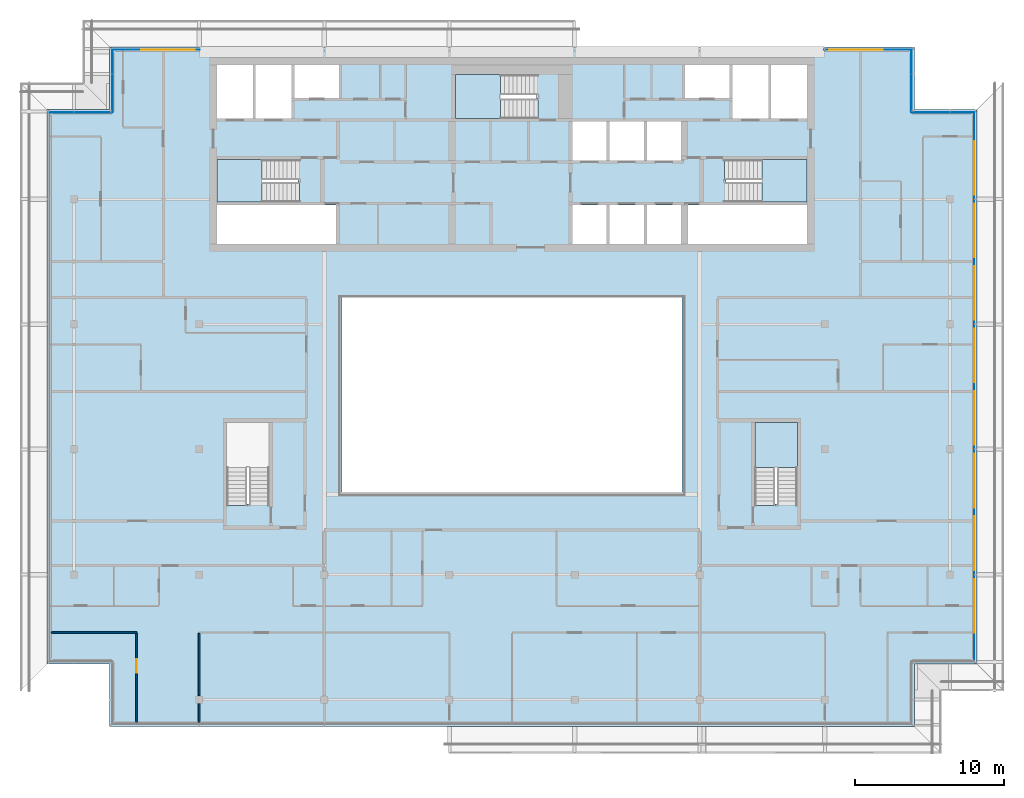
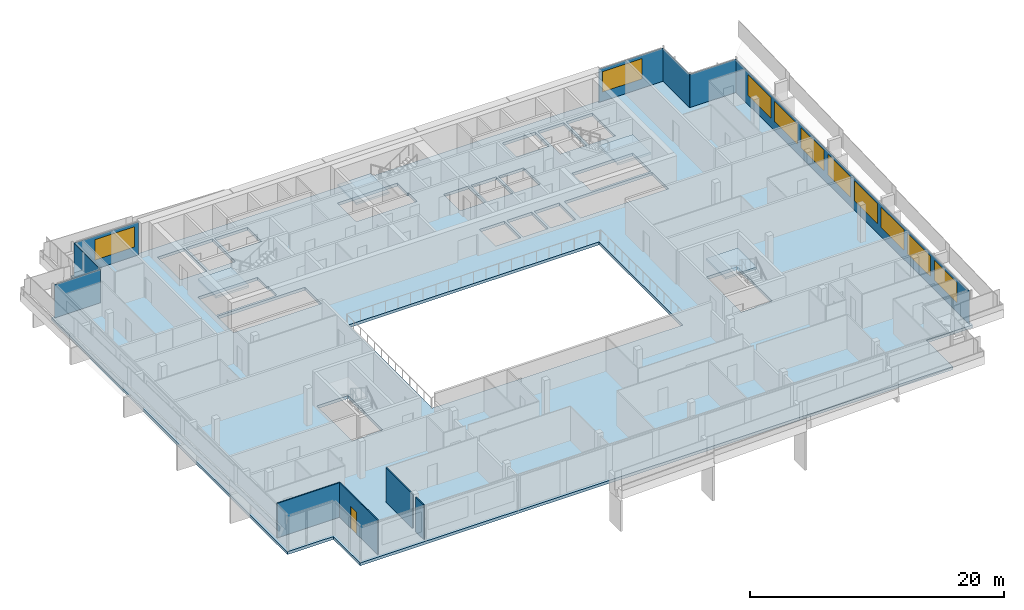
# One storey, part 14 of 26: 10 windows, 7 plates, 5 slabs, 4 walls, 1 door, 11 openings, 10 elements without a shape of their own.
"""IFC4 building model written with IfcOpenShell, lengths in metres."""

from ifc_helpers import new_model, si_unit, direction, frame, frame_2d, origin, place, context, subcontext, project, spatial, polyline, rectangle, outline, extrude, material, layer, layer_set, type_object, element, fill, aggregate, save


model = new_model("IFC4")

# Units and contexts
model_context = context("Model", 3, precision=1e-05, world=origin(), true_north=direction((0.0, 1.0)))
body_context = subcontext(model_context, "Body", "Model", "MODEL_VIEW")
ifc_project = project(units=[si_unit("LENGTHUNIT", "METRE"), si_unit("AREAUNIT", "SQUARE_METRE"), si_unit("VOLUMEUNIT", "CUBIC_METRE"), si_unit("PLANEANGLEUNIT", "RADIAN"), si_unit("MASSUNIT", "GRAM", prefix="KILO")], contexts=[model_context])

# Site, building, storey
site_placement = place(None, origin())
site = spatial("IfcSite", under=ifc_project, at=site_placement, CompositionType="ELEMENT")
building_placement = place(site_placement, origin())
building = spatial("IfcBuilding", under=site, at=building_placement, Name="Saffron Gate Tower", CompositionType="ELEMENT")
storey_placement = place(building_placement, frame((0.0, 0.0, 277.949951171875)))
storey = spatial("IfcBuildingStorey", under=building, at=storey_placement, Name="L67", CompositionType="ELEMENT", Elevation=277.949951171875)

# Curtain wall, plate, openings, windows
ifc_material_1 = material(Name="Aluminium, bronze anodised", Category="aluminium")
curtain_wall_type_1 = type_object("IfcCurtainWallType", Name="CWS2 curtain wall side facades", PredefinedType="NOTDEFINED", material=ifc_material_1)
curtain_wall_1_placement = place(storey_placement, origin())
curtain_wall_1 = element("IfcCurtainWall", 1, at=curtain_wall_1_placement, inside=storey, type_object=curtain_wall_type_1, Name="CWS2 run 4", PredefinedType="NOTDEFINED")
ifc_material_2 = material(Name="Fritted bronze-tinted laminated glass", Category="glass")
ifc_layer_1 = layer(ifc_material_2, 0.028076171875)
ifc_layer_set_1 = layer_set([ifc_layer_1], Name="CWS2 fixed glass")
plate_type_1 = type_object("IfcPlateType", Name="CWS2 fixed glass", PredefinedType="CURTAIN_PANEL", material=ifc_layer_set_1)
plate_1_placement = place(storey_placement, frame((118.6259765625, 34.387939453125, 0.0), z_axis=(0.0, 0.0, 1.0), x_axis=(0.0, 1.0, 0.0)))
plate_1 = element("IfcPlate", 2, at=plate_1_placement, type_object=plate_type_1, Name="CWS2 glass panel", PredefinedType="CURTAIN_PANEL", context=body_context, shape_type="SweptSolid", body=[
    extrude(rectangle(XDim=36.823974609375, YDim=0.028076171875, at=frame_2d((18.412109375, 0.0))), origin(), (0.0, 0.0, 1.0), 3.199951171875),
])
opening_1_placement = place(plate_1_placement, frame((1.912109375, 0.0, 0.89990234375)))
opening_1 = element("IfcOpeningElement", 3, at=opening_1_placement, cuts=plate_1, Name="Opening W1", PredefinedType="OPENING", context=body_context, shape_type="SweptSolid", body=[
    extrude(rectangle(XDim=3.60009765625, YDim=1.949951171875, at=frame_2d((1.800048828125, 0.97509765625))), frame((0.0, 0.02392578125, 0.0), z_axis=(0.0, -1.0, 0.0), x_axis=(1.0, 0.0, 0.0)), (0.0, 0.0, 1.0), 0.048095703125),
])
opening_2_placement = place(plate_1_placement, frame((6.112060546875, 0.0, 0.89990234375)))
opening_2 = element("IfcOpeningElement", 4, at=opening_2_placement, cuts=plate_1, Name="Opening W1", PredefinedType="OPENING", context=body_context, shape_type="SweptSolid", body=[
    extrude(rectangle(XDim=3.60009765625, YDim=1.949951171875, at=frame_2d((1.800048828125, 0.97509765625))), frame((0.0, 0.02392578125, 0.0), z_axis=(0.0, -1.0, 0.0), x_axis=(1.0, 0.0, 0.0)), (0.0, 0.0, 1.0), 0.048095703125),
])
opening_3_placement = place(plate_1_placement, frame((10.31201171875, 0.0, 0.89990234375)))
opening_3 = element("IfcOpeningElement", 5, at=opening_3_placement, cuts=plate_1, Name="Opening W1", PredefinedType="OPENING", context=body_context, shape_type="SweptSolid", body=[
    extrude(rectangle(XDim=3.60009765625, YDim=1.949951171875, at=frame_2d((1.800048828125, 0.97509765625))), frame((0.0, 0.02392578125, 0.0), z_axis=(0.0, -1.0, 0.0), x_axis=(1.0, 0.0, 0.0)), (0.0, 0.0, 1.0), 0.048095703125),
])
opening_4_placement = place(plate_1_placement, frame((14.511962890625, 0.0, 0.89990234375)))
opening_4 = element("IfcOpeningElement", 6, at=opening_4_placement, cuts=plate_1, Name="Opening W1", PredefinedType="OPENING", context=body_context, shape_type="SweptSolid", body=[
    extrude(rectangle(XDim=3.60009765625, YDim=1.949951171875, at=frame_2d((1.800048828125, 0.97509765625))), frame((0.0, 0.02392578125, 0.0), z_axis=(0.0, -1.0, 0.0), x_axis=(1.0, 0.0, 0.0)), (0.0, 0.0, 1.0), 0.048095703125),
])
opening_5_placement = place(plate_1_placement, frame((18.7119140625, 0.0, 0.89990234375)))
opening_5 = element("IfcOpeningElement", 7, at=opening_5_placement, cuts=plate_1, Name="Opening W1", PredefinedType="OPENING", context=body_context, shape_type="SweptSolid", body=[
    extrude(rectangle(XDim=3.60009765625, YDim=1.949951171875, at=frame_2d((1.800048828125, 0.97509765625))), frame((0.0, 0.02392578125, 0.0), z_axis=(0.0, -1.0, 0.0), x_axis=(1.0, 0.0, 0.0)), (0.0, 0.0, 1.0), 0.048095703125),
])
opening_6_placement = place(plate_1_placement, frame((22.912109375, 0.0, 0.89990234375)))
opening_6 = element("IfcOpeningElement", 8, at=opening_6_placement, cuts=plate_1, Name="Opening W1", PredefinedType="OPENING", context=body_context, shape_type="SweptSolid", body=[
    extrude(rectangle(XDim=3.60009765625, YDim=1.949951171875, at=frame_2d((1.800048828125, 0.97509765625))), frame((0.0, 0.02392578125, 0.0), z_axis=(0.0, -1.0, 0.0), x_axis=(1.0, 0.0, 0.0)), (0.0, 0.0, 1.0), 0.048095703125),
])
opening_7_placement = place(plate_1_placement, frame((27.112060546875, 0.0, 0.89990234375)))
opening_7 = element("IfcOpeningElement", 9, at=opening_7_placement, cuts=plate_1, Name="Opening W1", PredefinedType="OPENING", context=body_context, shape_type="SweptSolid", body=[
    extrude(rectangle(XDim=3.60009765625, YDim=1.949951171875, at=frame_2d((1.800048828125, 0.97509765625))), frame((0.0, 0.02392578125, 0.0), z_axis=(0.0, -1.0, 0.0), x_axis=(1.0, 0.0, 0.0)), (0.0, 0.0, 1.0), 0.048095703125),
])
opening_8_placement = place(plate_1_placement, frame((31.31201171875, 0.0, 0.89990234375)))
opening_8 = element("IfcOpeningElement", 10, at=opening_8_placement, cuts=plate_1, Name="Opening W1", PredefinedType="OPENING", context=body_context, shape_type="SweptSolid", body=[
    extrude(rectangle(XDim=3.60009765625, YDim=1.949951171875, at=frame_2d((1.800048828125, 0.97509765625))), frame((0.0, 0.02392578125, 0.0), z_axis=(0.0, -1.0, 0.0), x_axis=(1.0, 0.0, 0.0)), (0.0, 0.0, 1.0), 0.048095703125),
])
ifc_material_3 = material(Name="Fritted bronze-tinted laminated glass in bronze frame", Category="glass")
ifc_layer_2 = layer(ifc_material_3, 0.06005859375)
ifc_layer_set_2 = layer_set([ifc_layer_2], Name="W1 operable panel 3600x1950")
window_type = type_object("IfcWindowType", Name="W1 operable panel 3600x1950", PartitioningType="DOUBLE_PANEL_HORIZONTAL", PredefinedType="WINDOW", material=ifc_layer_set_2)
window_1_placement = place(opening_1_placement, origin())
window_1 = element("IfcWindow", 11, at=window_1_placement, type_object=window_type, Name="W1 operable panel", OverallHeight=1.949951171875, OverallWidth=3.60009765625, PartitioningType="SINGLE_PANEL", PredefinedType="WINDOW", context=body_context, shape_type="SweptSolid", body=[
    extrude(rectangle(XDim=3.60009765625, YDim=1.949951171875, at=frame_2d((1.800048828125, 0.97509765625))), frame((0.0, 0.013671875, 0.0), z_axis=(0.0, -1.0, 0.0), x_axis=(1.0, 0.0, 0.0)), (0.0, 0.0, 1.0), 0.027587890625),
])
fill(opening_1, window_1)
window_2_placement = place(opening_2_placement, origin())
window_2 = element("IfcWindow", 12, at=window_2_placement, type_object=window_type, Name="W1 operable panel", OverallHeight=1.949951171875, OverallWidth=3.60009765625, PartitioningType="SINGLE_PANEL", PredefinedType="WINDOW", context=body_context, shape_type="SweptSolid", body=[
    extrude(rectangle(XDim=3.60009765625, YDim=1.949951171875, at=frame_2d((1.800048828125, 0.97509765625))), frame((0.0, 0.013671875, 0.0), z_axis=(0.0, -1.0, 0.0), x_axis=(1.0, 0.0, 0.0)), (0.0, 0.0, 1.0), 0.027587890625),
])
fill(opening_2, window_2)
window_3_placement = place(opening_3_placement, origin())
window_3 = element("IfcWindow", 13, at=window_3_placement, type_object=window_type, Name="W1 operable panel", OverallHeight=1.949951171875, OverallWidth=3.60009765625, PartitioningType="SINGLE_PANEL", PredefinedType="WINDOW", context=body_context, shape_type="SweptSolid", body=[
    extrude(rectangle(XDim=3.60009765625, YDim=1.949951171875, at=frame_2d((1.800048828125, 0.97509765625))), frame((0.0, 0.013671875, 0.0), z_axis=(0.0, -1.0, 0.0), x_axis=(1.0, 0.0, 0.0)), (0.0, 0.0, 1.0), 0.027587890625),
])
fill(opening_3, window_3)
window_4_placement = place(opening_4_placement, origin())
window_4 = element("IfcWindow", 14, at=window_4_placement, type_object=window_type, Name="W1 operable panel", OverallHeight=1.949951171875, OverallWidth=3.60009765625, PartitioningType="SINGLE_PANEL", PredefinedType="WINDOW", context=body_context, shape_type="SweptSolid", body=[
    extrude(rectangle(XDim=3.60009765625, YDim=1.949951171875, at=frame_2d((1.800048828125, 0.97509765625))), frame((0.0, 0.013671875, 0.0), z_axis=(0.0, -1.0, 0.0), x_axis=(1.0, 0.0, 0.0)), (0.0, 0.0, 1.0), 0.027587890625),
])
fill(opening_4, window_4)
window_5_placement = place(opening_5_placement, origin())
window_5 = element("IfcWindow", 15, at=window_5_placement, type_object=window_type, Name="W1 operable panel", OverallHeight=1.949951171875, OverallWidth=3.60009765625, PartitioningType="SINGLE_PANEL", PredefinedType="WINDOW", context=body_context, shape_type="SweptSolid", body=[
    extrude(rectangle(XDim=3.60009765625, YDim=1.949951171875, at=frame_2d((1.800048828125, 0.97509765625))), frame((0.0, 0.013671875, 0.0), z_axis=(0.0, -1.0, 0.0), x_axis=(1.0, 0.0, 0.0)), (0.0, 0.0, 1.0), 0.027587890625),
])
fill(opening_5, window_5)
window_6_placement = place(opening_6_placement, origin())
window_6 = element("IfcWindow", 16, at=window_6_placement, type_object=window_type, Name="W1 operable panel", OverallHeight=1.949951171875, OverallWidth=3.60009765625, PartitioningType="SINGLE_PANEL", PredefinedType="WINDOW", context=body_context, shape_type="SweptSolid", body=[
    extrude(rectangle(XDim=3.60009765625, YDim=1.949951171875, at=frame_2d((1.800048828125, 0.97509765625))), frame((0.0, 0.013671875, 0.0), z_axis=(0.0, -1.0, 0.0), x_axis=(1.0, 0.0, 0.0)), (0.0, 0.0, 1.0), 0.027587890625),
])
fill(opening_6, window_6)
window_7_placement = place(opening_7_placement, origin())
window_7 = element("IfcWindow", 17, at=window_7_placement, type_object=window_type, Name="W1 operable panel", OverallHeight=1.949951171875, OverallWidth=3.60009765625, PartitioningType="SINGLE_PANEL", PredefinedType="WINDOW", context=body_context, shape_type="SweptSolid", body=[
    extrude(rectangle(XDim=3.60009765625, YDim=1.949951171875, at=frame_2d((1.800048828125, 0.97509765625))), frame((0.0, 0.013671875, 0.0), z_axis=(0.0, -1.0, 0.0), x_axis=(1.0, 0.0, 0.0)), (0.0, 0.0, 1.0), 0.027587890625),
])
fill(opening_7, window_7)
window_8_placement = place(opening_8_placement, origin())
window_8 = element("IfcWindow", 18, at=window_8_placement, type_object=window_type, Name="W1 operable panel", OverallHeight=1.949951171875, OverallWidth=3.60009765625, PartitioningType="SINGLE_PANEL", PredefinedType="WINDOW", context=body_context, shape_type="SweptSolid", body=[
    extrude(rectangle(XDim=3.60009765625, YDim=1.949951171875, at=frame_2d((1.800048828125, 0.97509765625))), frame((0.0, 0.013671875, 0.0), z_axis=(0.0, -1.0, 0.0), x_axis=(1.0, 0.0, 0.0)), (0.0, 0.0, 1.0), 0.027587890625),
])
fill(opening_8, window_8)
aggregate(curtain_wall_1, [plate_1, window_1, window_2, window_3, window_4, window_5, window_6, window_7, window_8])

# Curtain wall, plates, openings, windows
curtain_wall_type_2 = type_object("IfcCurtainWallType", Name="CWS3 curtain wall rear facade", PredefinedType="NOTDEFINED", material=ifc_material_1)
curtain_wall_2_placement = place(storey_placement, origin())
curtain_wall_2 = element("IfcCurtainWall", 19, at=curtain_wall_2_placement, inside=storey, type_object=curtain_wall_type_2, Name="CWS3 run 7", PredefinedType="NOTDEFINED")
ifc_material_4 = material(Name="Fritted grey-tinted laminated glass", Category="glass")
ifc_layer_3 = layer(ifc_material_4, 0.028076171875)
ifc_layer_set_3 = layer_set([ifc_layer_3], Name="CWS3 fixed glass")
plate_type_2 = type_object("IfcPlateType", Name="CWS3 fixed glass", PredefinedType="CURTAIN_PANEL", material=ifc_layer_set_3)
plate_2_placement = place(storey_placement, frame((114.412109375, 75.426025390625, 0.0), z_axis=(0.0, 0.0, 1.0), x_axis=(-1.0, 0.0, 0.0)))
plate_2 = element("IfcPlate", 20, at=plate_2_placement, type_object=plate_type_2, Name="CWS3 glass panel", PredefinedType="CURTAIN_PANEL", context=body_context, shape_type="SweptSolid", body=[
    extrude(rectangle(XDim=5.84716796875, YDim=0.028076171875, at=frame_2d((2.923583984375, 0.0))), origin(), (0.0, 0.0, 1.0), 3.199951171875),
])
opening_9_placement = place(plate_2_placement, frame((1.912109375, 0.0, 0.89990234375)))
opening_9 = element("IfcOpeningElement", 21, at=opening_9_placement, cuts=plate_2, Name="Opening W1", PredefinedType="OPENING", context=body_context, shape_type="SweptSolid", body=[
    extrude(rectangle(XDim=3.60009765625, YDim=1.949951171875, at=frame_2d((1.800048828125, 0.97509765625))), frame((0.0, 0.02392578125, 0.0), z_axis=(0.0, -1.0, 0.0), x_axis=(1.0, 0.0, 0.0)), (0.0, 0.0, 1.0), 0.048095703125),
])
window_9_placement = place(opening_9_placement, origin())
window_9 = element("IfcWindow", 22, at=window_9_placement, type_object=window_type, Name="W1 operable panel", OverallHeight=1.949951171875, OverallWidth=3.60009765625, PartitioningType="SINGLE_PANEL", PredefinedType="WINDOW", context=body_context, shape_type="SweptSolid", body=[
    extrude(rectangle(XDim=3.60009765625, YDim=1.949951171875, at=frame_2d((1.800048828125, 0.97509765625))), frame((0.0, 0.013671875, 0.0), z_axis=(0.0, -1.0, 0.0), x_axis=(1.0, 0.0, 0.0)), (0.0, 0.0, 1.0), 0.027587890625),
])
fill(opening_9, window_9)
plate_3_placement = place(storey_placement, frame((66.635009765625, 75.426025390625, 0.0), z_axis=(0.0, 0.0, 1.0), x_axis=(-1.0, 0.0, 0.0)))
plate_3 = element("IfcPlate", 23, at=plate_3_placement, type_object=plate_type_2, Name="CWS3 glass panel", PredefinedType="CURTAIN_PANEL", context=body_context, shape_type="SweptSolid", body=[
    extrude(rectangle(XDim=5.846923828125, YDim=0.028076171875, at=frame_2d((2.92333984375, 0.0))), origin(), (0.0, 0.0, 1.0), 3.199951171875),
])
opening_10_placement = place(plate_3_placement, frame((0.3349609375, 0.0, 0.89990234375)))
opening_10 = element("IfcOpeningElement", 24, at=opening_10_placement, cuts=plate_3, Name="Opening W1", PredefinedType="OPENING", context=body_context, shape_type="SweptSolid", body=[
    extrude(rectangle(XDim=3.60009765625, YDim=1.949951171875, at=frame_2d((1.800048828125, 0.97509765625))), frame((0.0, 0.02392578125, 0.0), z_axis=(0.0, -1.0, 0.0), x_axis=(1.0, 0.0, 0.0)), (0.0, 0.0, 1.0), 0.048095703125),
])
window_10_placement = place(opening_10_placement, origin())
window_10 = element("IfcWindow", 25, at=window_10_placement, type_object=window_type, Name="W1 operable panel", OverallHeight=1.949951171875, OverallWidth=3.60009765625, PartitioningType="SINGLE_PANEL", PredefinedType="WINDOW", context=body_context, shape_type="SweptSolid", body=[
    extrude(rectangle(XDim=3.60009765625, YDim=1.949951171875, at=frame_2d((1.800048828125, 0.97509765625))), frame((0.0, 0.013671875, 0.0), z_axis=(0.0, -1.0, 0.0), x_axis=(1.0, 0.0, 0.0)), (0.0, 0.0, 1.0), 0.027587890625),
])
fill(opening_10, window_10)
aggregate(curtain_wall_2, [plate_2, plate_3, window_9, window_10])

# Curtain wall, plate
curtain_wall_type_3 = type_object("IfcCurtainWallType", Name="CWS4 curtain wall corner returns", PredefinedType="NOTDEFINED", material=ifc_material_1)
curtain_wall_3_placement = place(storey_placement, origin())
curtain_wall_3 = element("IfcCurtainWall", 26, at=curtain_wall_3_placement, inside=storey, type_object=curtain_wall_type_3, Name="CWS4 run 5", PredefinedType="NOTDEFINED")
ifc_layer_4 = layer(ifc_material_2, 0.028076171875)
ifc_layer_set_4 = layer_set([ifc_layer_4], Name="CWS4 fixed glass")
plate_type_3 = type_object("IfcPlateType", Name="CWS4 fixed glass", PredefinedType="CURTAIN_PANEL", material=ifc_layer_set_4)
plate_4_placement = place(storey_placement, frame((118.612060546875, 71.22607421875, 0.0), z_axis=(0.0, 0.0, 1.0), x_axis=(-1.0, 0.0, 0.0)))
plate_4 = element("IfcPlate", 27, at=plate_4_placement, type_object=plate_type_3, Name="CWS4 glass panel", PredefinedType="CURTAIN_PANEL", context=body_context, shape_type="SweptSolid", body=[
    extrude(rectangle(XDim=4.172119140625, YDim=0.028076171875, at=frame_2d((2.0859375, 0.0))), origin(), (0.0, 0.0, 1.0), 3.199951171875),
])
aggregate(curtain_wall_3, [plate_4])

curtain_wall_4_placement = place(storey_placement, origin())
curtain_wall_4 = element("IfcCurtainWall", 28, at=curtain_wall_4_placement, inside=storey, type_object=curtain_wall_type_3, Name="CWS4 run 6", PredefinedType="NOTDEFINED")
plate_5_placement = place(storey_placement, frame((114.426025390625, 71.239990234375, 0.0), z_axis=(0.0, 0.0, 1.0), x_axis=(0.0, 1.0, 0.0)))
plate_5 = element("IfcPlate", 29, at=plate_5_placement, type_object=plate_type_3, Name="CWS4 glass panel", PredefinedType="CURTAIN_PANEL", context=body_context, shape_type="SweptSolid", body=[
    extrude(rectangle(XDim=4.172119140625, YDim=0.028076171875, at=frame_2d((2.0859375, 0.0))), origin(), (0.0, 0.0, 1.0), 3.199951171875),
])
aggregate(curtain_wall_4, [plate_5])

curtain_wall_5_placement = place(storey_placement, origin())
curtain_wall_5 = element("IfcCurtainWall", 30, at=curtain_wall_5_placement, inside=storey, type_object=curtain_wall_type_3, Name="CWS4 run 8", PredefinedType="NOTDEFINED")
plate_6_placement = place(storey_placement, frame((60.77392578125, 75.412109375, 0.0), z_axis=(0.0, 0.0, 1.0), x_axis=(0.0, -1.0, 0.0)))
plate_6 = element("IfcPlate", 31, at=plate_6_placement, type_object=plate_type_3, Name="CWS4 glass panel", PredefinedType="CURTAIN_PANEL", context=body_context, shape_type="SweptSolid", body=[
    extrude(rectangle(XDim=4.172119140625, YDim=0.028076171875, at=frame_2d((2.0859375, 0.0))), origin(), (0.0, 0.0, 1.0), 3.199951171875),
])
aggregate(curtain_wall_5, [plate_6])

curtain_wall_6_placement = place(storey_placement, origin())
curtain_wall_6 = element("IfcCurtainWall", 32, at=curtain_wall_6_placement, inside=storey, type_object=curtain_wall_type_3, Name="CWS4 run 9", PredefinedType="NOTDEFINED")
plate_7_placement = place(storey_placement, frame((60.760009765625, 71.22607421875, 0.0), z_axis=(0.0, 0.0, 1.0), x_axis=(-1.0, 0.0, 0.0)))
plate_7 = element("IfcPlate", 33, at=plate_7_placement, type_object=plate_type_3, Name="CWS4 glass panel", PredefinedType="CURTAIN_PANEL", context=body_context, shape_type="SweptSolid", body=[
    extrude(rectangle(XDim=4.172119140625, YDim=0.028076171875, at=frame_2d((2.0859375, 0.0))), origin(), (0.0, 0.0, 1.0), 3.199951171875),
])
aggregate(curtain_wall_6, [plate_7])

# Slab
ifc_material_5 = material(Name="Concrete C40", Category="concrete")
ifc_layer_5 = layer(ifc_material_5, 0.280029296875)
ifc_layer_set_5 = layer_set([ifc_layer_5], Name="S2 FLOOR SLAB 280 CONCRETE C40")
slab_type_1 = type_object("IfcSlabType", Name="S2 FLOOR SLAB 280 CONCRETE C40", PredefinedType="FLOOR", material=ifc_layer_set_5)
slab_1_placement = place(storey_placement, frame((0.0, 0.0, -0.280029296875)))
element("IfcSlab", 34, at=slab_1_placement, inside=storey, type_object=slab_type_1, Name="S2 FLOOR SLAB", PredefinedType="FLOOR", context=body_context, shape_type="SweptSolid", body=[
    extrude(outline(polyline([(56.39990234375, 34.199951171875), (60.60009765625, 34.199951171875), (60.60009765625, 30.0), (114.60009765625, 30.0), (114.60009765625, 34.199951171875), (118.800048828125, 34.199951171875), (118.800048828125, 71.39990234375), (114.60009765625, 71.39990234375), (114.60009765625, 75.60009765625), (60.60009765625, 75.60009765625), (60.60009765625, 71.39990234375), (56.39990234375, 71.39990234375), (56.39990234375, 34.199951171875)]), holes=[polyline([(67.800048828125, 62.39990234375), (67.800048828125, 65.0), (75.800048828125, 65.0), (75.800048828125, 62.39990234375), (67.800048828125, 62.39990234375)]), polyline([(67.800048828125, 65.199951171875), (67.800048828125, 68.050048828125), (73.25, 68.050048828125), (73.25, 66.550048828125), (73.34912109375, 66.550048828125), (73.34912109375, 65.199951171875), (67.800048828125, 65.199951171875)]), polyline([(67.800048828125, 70.800048828125), (67.800048828125, 74.39990234375), (70.199951171875, 74.39990234375), (70.199951171875, 70.800048828125), (67.800048828125, 70.800048828125)]), polyline([(68.449951171875, 44.85107421875), (68.449951171875, 50.39990234375), (71.300048828125, 50.39990234375), (71.300048828125, 44.949951171875), (69.800048828125, 44.949951171875), (69.800048828125, 44.85107421875), (68.449951171875, 44.85107421875)]), polyline([(70.39990234375, 70.800048828125), (70.39990234375, 74.39990234375), (72.800048828125, 74.39990234375), (72.800048828125, 70.800048828125), (70.39990234375, 70.800048828125)]), polyline([(73.0, 72.199951171875), (73.0, 74.39990234375), (76.0, 74.39990234375), (76.0, 72.199951171875), (73.0, 72.199951171875)]), polyline([(76.199951171875, 45.60009765625), (76.199951171875, 58.800048828125), (99.0, 58.800048828125), (99.0, 45.60009765625), (76.199951171875, 45.60009765625)]), polyline([(83.800048828125, 70.800048828125), (83.800048828125, 73.75), (89.25, 73.75), (89.25, 72.14990234375), (89.34912109375, 72.14990234375), (89.34912109375, 70.800048828125), (83.800048828125, 70.800048828125)]), polyline([(91.64990234375, 62.39990234375), (91.64990234375, 65.0), (93.949951171875, 65.0), (93.949951171875, 62.39990234375), (91.64990234375, 62.39990234375)]), polyline([(91.64990234375, 68.0), (91.64990234375, 70.60009765625), (93.949951171875, 70.60009765625), (93.949951171875, 68.0), (91.64990234375, 68.0)]), polyline([(94.14990234375, 62.39990234375), (94.14990234375, 65.0), (96.449951171875, 65.0), (96.449951171875, 62.39990234375), (94.14990234375, 62.39990234375)]), polyline([(94.14990234375, 68.0), (94.14990234375, 70.60009765625), (96.449951171875, 70.60009765625), (96.449951171875, 68.0), (94.14990234375, 68.0)]), polyline([(96.64990234375, 62.39990234375), (96.64990234375, 65.0), (98.949951171875, 65.0), (98.949951171875, 62.39990234375), (96.64990234375, 62.39990234375)]), polyline([(96.64990234375, 68.0), (96.64990234375, 70.60009765625), (98.949951171875, 70.60009765625), (98.949951171875, 68.0), (96.64990234375, 68.0)]), polyline([(99.199951171875, 72.199951171875), (99.199951171875, 74.39990234375), (102.199951171875, 74.39990234375), (102.199951171875, 72.199951171875), (99.199951171875, 72.199951171875)]), polyline([(99.39990234375, 62.39990234375), (99.39990234375, 65.0), (107.39990234375, 65.0), (107.39990234375, 62.39990234375), (99.39990234375, 62.39990234375)]), polyline([(101.85107421875, 66.699951171875), (101.85107421875, 68.050048828125), (107.39990234375, 68.050048828125), (107.39990234375, 65.199951171875), (101.949951171875, 65.199951171875), (101.949951171875, 66.699951171875), (101.85107421875, 66.699951171875)]), polyline([(102.39990234375, 70.800048828125), (102.39990234375, 74.39990234375), (104.800048828125, 74.39990234375), (104.800048828125, 70.800048828125), (102.39990234375, 70.800048828125)]), polyline([(103.89990234375, 44.85107421875), (103.89990234375, 50.39990234375), (106.75, 50.39990234375), (106.75, 44.949951171875), (105.25, 44.949951171875), (105.25, 44.85107421875), (103.89990234375, 44.85107421875)]), polyline([(105.0, 70.800048828125), (105.0, 74.39990234375), (107.39990234375, 74.39990234375), (107.39990234375, 70.800048828125), (105.0, 70.800048828125)])]), origin(), (0.0, 0.0, 1.0), 0.280029296875),
])

# Stair, slab
stair_type = type_object("IfcStairType", Name="ST7 Stair 1350 wide, 20 risers of 180", PredefinedType="HALF_TURN_STAIR", material=ifc_material_5)
stair_1_placement = place(storey_placement, origin())
stair_1 = element("IfcStair", 35, at=stair_1_placement, inside=storey, type_object=stair_type, Name="L67 Exit stair A", PredefinedType="HALF_TURN_STAIR")
ifc_layer_6 = layer(ifc_material_5, 0.199951171875)
ifc_layer_set_6 = layer_set([ifc_layer_6], Name="SL1 Stair landing 200")
slab_type_2 = type_object("IfcSlabType", Name="SL1 Stair landing 200", PredefinedType="LANDING", material=ifc_layer_set_6)
slab_2_placement = place(storey_placement, frame((0.0, 0.0, 1.60009765625)))
slab_2 = element("IfcSlab", 36, at=slab_2_placement, type_object=slab_type_2, Name="ST-A landing 1", PredefinedType="LANDING", context=body_context, shape_type="SweptSolid", body=[
    extrude(outline(polyline([(70.830078125, 68.050048828125), (67.800048828125, 68.050048828125), (67.800048828125, 65.199951171875), (70.830078125, 65.199951171875), (70.830078125, 68.050048828125)])), origin(), (0.0, 0.0, 1.0), 0.199951171875),
])
aggregate(stair_1, [slab_2])

stair_2_placement = place(storey_placement, origin())
stair_2 = element("IfcStair", 37, at=stair_2_placement, inside=storey, type_object=stair_type, Name="L67 Exit stair B", PredefinedType="HALF_TURN_STAIR")
slab_3_placement = place(storey_placement, frame((0.0, 0.0, 1.60009765625)))
slab_3 = element("IfcSlab", 38, at=slab_3_placement, type_object=slab_type_2, Name="ST-B landing 1", PredefinedType="LANDING", context=body_context, shape_type="SweptSolid", body=[
    extrude(outline(polyline([(104.3701171875, 65.199951171875), (107.39990234375, 65.199951171875), (107.39990234375, 68.050048828125), (104.3701171875, 68.050048828125), (104.3701171875, 65.199951171875)])), origin(), (0.0, 0.0, 1.0), 0.199951171875),
])
aggregate(stair_2, [slab_3])

stair_3_placement = place(storey_placement, origin())
stair_3 = element("IfcStair", 39, at=stair_3_placement, inside=storey, type_object=stair_type, Name="L67 Exit stair C", PredefinedType="HALF_TURN_STAIR")
slab_4_placement = place(storey_placement, frame((0.0, 0.0, 1.60009765625)))
slab_4 = element("IfcSlab", 40, at=slab_4_placement, type_object=slab_type_2, Name="ST-C landing 1", PredefinedType="LANDING", context=body_context, shape_type="SweptSolid", body=[
    extrude(outline(polyline([(86.830078125, 73.75), (83.800048828125, 73.75), (83.800048828125, 70.800048828125), (86.830078125, 70.800048828125), (86.830078125, 73.75)])), origin(), (0.0, 0.0, 1.0), 0.199951171875),
])
aggregate(stair_3, [slab_4])

stair_4_placement = place(storey_placement, origin())
stair_4 = element("IfcStair", 41, at=stair_4_placement, inside=storey, type_object=stair_type, Name="L67 Exit stair E", PredefinedType="HALF_TURN_STAIR")
slab_5_placement = place(storey_placement, frame((0.0, 0.0, 1.60009765625)))
slab_5 = element("IfcSlab", 42, at=slab_5_placement, type_object=slab_type_2, Name="ST-E landing 1", PredefinedType="LANDING", context=body_context, shape_type="SweptSolid", body=[
    extrude(outline(polyline([(106.75, 47.3701171875), (106.75, 50.39990234375), (103.89990234375, 50.39990234375), (103.89990234375, 47.3701171875), (106.75, 47.3701171875)])), origin(), (0.0, 0.0, 1.0), 0.199951171875),
])
aggregate(stair_4, [slab_5])

# Wall
ifc_material_6 = material(Name="Plasterboard on steel studs", Category="steel")
ifc_layer_7 = layer(ifc_material_6, 0.10009765625)
ifc_layer_set_7 = layer_set([ifc_layer_7], Name="PW1 Partition 100")
wall_type = type_object("IfcWallType", Name="PW1 Partition 100", PredefinedType="PARTITIONING", material=ifc_layer_set_7)
wall_1_placement = place(storey_placement, frame((56.679931640625, 36.300048828125, 0.0), z_axis=(0.0, 0.0, 1.0), x_axis=(1.0, 0.0, 0.0)))
element("IfcWall", 43, at=wall_1_placement, inside=storey, type_object=wall_type, Name="Partition E3-1", PredefinedType="PARTITIONING", context=body_context, shape_type="SweptSolid", body=[
    extrude(rectangle(XDim=5.719970703125, YDim=0.10009765625, at=frame_2d((2.85986328125, 0.0))), origin(), (0.0, 0.0, 1.0), 3.320068359375),
])

# Wall, opening, door
wall_2_placement = place(storey_placement, frame((62.39990234375, 30.280029296875, 0.0), z_axis=(0.0, 0.0, 1.0), x_axis=(0.0, 1.0, 0.0)))
wall_2 = element("IfcWall", 44, at=wall_2_placement, inside=storey, type_object=wall_type, Name="Partition E3-35", PredefinedType="PARTITIONING", context=body_context, shape_type="SweptSolid", body=[
    extrude(rectangle(XDim=5.969970703125, YDim=0.10009765625, at=frame_2d((2.98486328125, 0.0))), origin(), (0.0, 0.0, 1.0), 3.320068359375),
])
opening_11_placement = place(wall_2_placement, frame((3.338623046875, 0.0, 0.0)))
opening_11 = element("IfcOpeningElement", 45, at=opening_11_placement, cuts=wall_2, Name="Opening E3-8", PredefinedType="OPENING", context=body_context, shape_type="SweptSolid", body=[
    extrude(rectangle(XDim=0.89990234375, YDim=2.10009765625, at=frame_2d((0.449951171875, 1.050048828125))), frame((0.0, 0.06005859375, 0.0), z_axis=(0.0, -1.0, 0.0), x_axis=(1.0, 0.0, 0.0)), (0.0, 0.0, 1.0), 0.1201171875),
])
ifc_material_7 = material(Name="Timber door set", Category="wood")
door_type = type_object("IfcDoorType", Name="RD1 Room door 900x2100", OperationType="NOTDEFINED", PredefinedType="DOOR", material=ifc_material_7)
door_placement = place(opening_11_placement, origin())
door = element("IfcDoor", 46, at=door_placement, inside=storey, type_object=door_type, Name="Door E3-8", OperationType="SINGLE_SWING_RIGHT", OverallHeight=2.10009765625, OverallWidth=0.89990234375, PredefinedType="DOOR", context=body_context, shape_type="SweptSolid", body=[
    extrude(rectangle(XDim=0.89990234375, YDim=2.10009765625, at=frame_2d((0.449951171875, 1.050048828125))), frame((0.0, 0.02490234375, 0.0), z_axis=(0.0, -1.0, 0.0), x_axis=(1.0, 0.0, 0.0)), (0.0, 0.0, 1.0), 0.050048828125),
])
fill(opening_11, door)

# Walls
wall_3_placement = place(storey_placement, frame((66.60009765625, 31.530029296875, 0.0), z_axis=(0.0, 0.0, 1.0), x_axis=(0.0, -1.0, 0.0)))
element("IfcWall", 47, at=wall_3_placement, inside=storey, type_object=wall_type, Name="Partition E3-41", PredefinedType="PARTITIONING", context=body_context, shape_type="SweptSolid", body=[
    extrude(rectangle(XDim=1.25, YDim=0.10009765625, at=frame_2d((0.625, 0.0))), origin(), (0.0, 0.0, 1.0), 3.320068359375),
])
wall_4_placement = place(storey_placement, frame((66.60009765625, 36.25, 0.0), z_axis=(0.0, 0.0, 1.0), x_axis=(0.0, -1.0, 0.0)))
element("IfcWall", 48, at=wall_4_placement, inside=storey, type_object=wall_type, Name="Partition E3-42", PredefinedType="PARTITIONING", context=body_context, shape_type="SweptSolid", body=[
    extrude(rectangle(XDim=4.179931640625, YDim=0.10009765625, at=frame_2d((2.08984375, 0.0))), origin(), (0.0, 0.0, 1.0), 3.320068359375),
])

save(model, "model.ifc")
